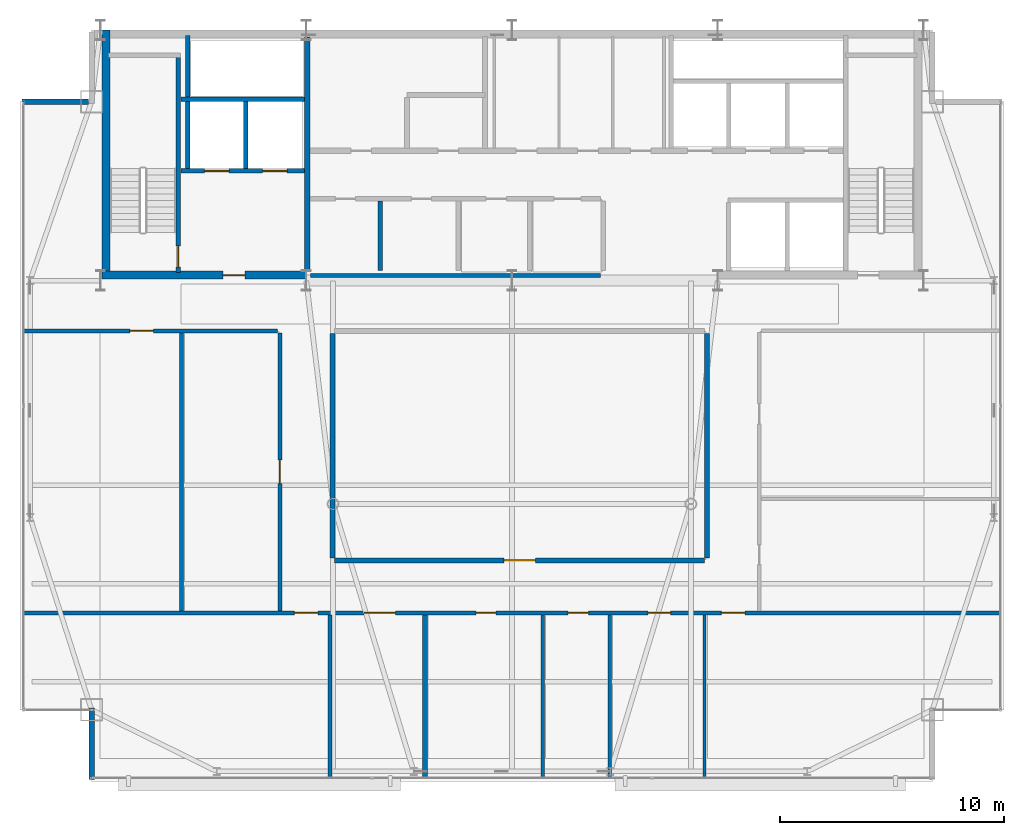
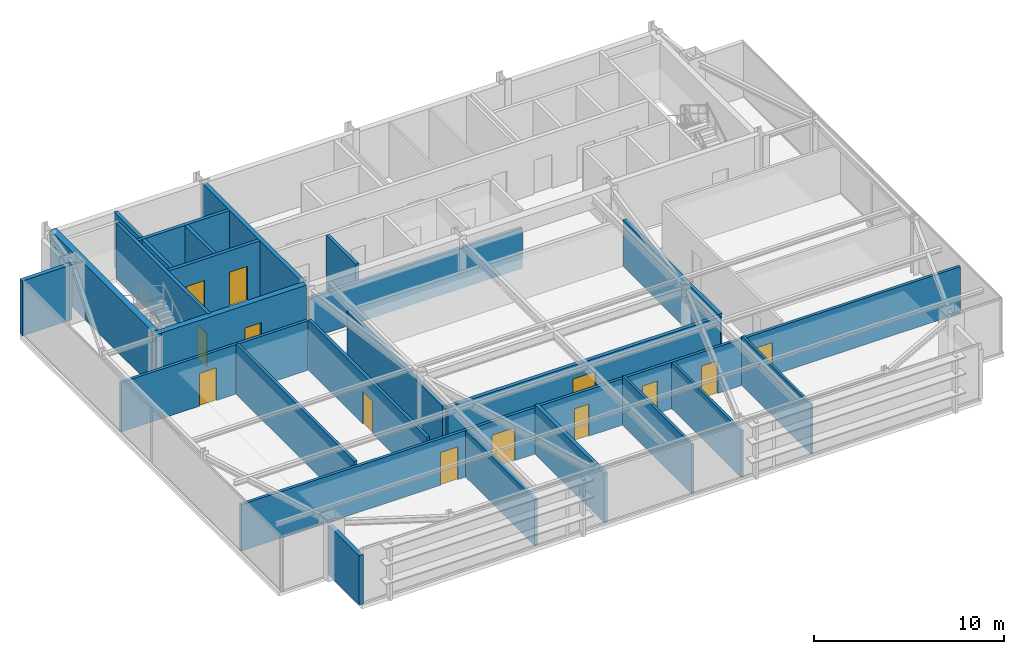
# One storey, part 21 of 24: 24 walls, 13 doors, 13 openings.
"""IFC4 building model written with IfcOpenShell, lengths in metres."""

from ifc_helpers import new_model, si_unit, direction, frame, frame_2d, origin, place, context, subcontext, project, spatial, rectangle, extrude, source, transform, mapped, material, layer, layer_set, type_object, type_shapes, element, fill, save


model = new_model("IFC4")

# Units and contexts
model_context = context("Model", 3, precision=1e-05, world=origin(), true_north=direction((0.0, 1.0)))
body_context = subcontext(model_context, "Body", "Model", "MODEL_VIEW")
ifc_project = project(units=[si_unit("LENGTHUNIT", "METRE"), si_unit("AREAUNIT", "SQUARE_METRE"), si_unit("VOLUMEUNIT", "CUBIC_METRE"), si_unit("PLANEANGLEUNIT", "RADIAN"), si_unit("MASSUNIT", "GRAM", prefix="KILO")], contexts=[model_context])

# Site, building, storey
site_placement = place(None, origin())
site = spatial("IfcSite", under=ifc_project, at=site_placement, CompositionType="ELEMENT")
building_placement = place(site_placement, origin())
building = spatial("IfcBuilding", under=site, at=building_placement, Name="Varnel Quay Broadcast Tower", CompositionType="ELEMENT")
storey_placement = place(building_placement, frame((0.0, 0.0, 292.60009765625)))
storey = spatial("IfcBuildingStorey", under=building, at=storey_placement, Name="L73", CompositionType="ELEMENT", Elevation=292.60009765625)

# Wall, opening, door
ifc_material_1 = material(Name="Concrete CSA A23.3 C50/60", Category="concrete")
ifc_layer_1 = layer(ifc_material_1, 0.199951171875, Name="Concrete CSA A23.3 C50/60")
ifc_layer_set_1 = layer_set([ifc_layer_1], Name="Concrete CSA A23.3 C50/60")
wall_type_1 = type_object("IfcWallType", Name="Wall_CoreShaftShear200", PredefinedType="SHEAR", material=ifc_layer_set_1)
wall_1_placement = place(storey_placement, frame((19.080078125, 35.949951171875, 0.0), z_axis=(0.0, 0.0, 1.0), x_axis=(0.0, 1.0, 0.0)))
wall_1 = element("IfcWall", 1, at=wall_1_placement, inside=storey, type_object=wall_type_1, Name="L73 Stair 1 East Structural Wall", PredefinedType="SHEAR", context=body_context, shape_type="SweptSolid", body=[
    extrude(rectangle(XDim=9.650146484375, YDim=0.199951171875, at=frame_2d((4.8251953125, 0.0))), origin(), (0.0, 0.0, 1.0), 3.5498046875),
])
opening_1_placement = place(wall_1_placement, frame((0.25, 0.0, 0.0)))
opening_1 = element("IfcOpeningElement", 2, at=opening_1_placement, cuts=wall_1, Name="Opening D-L73-S1", PredefinedType="OPENING", context=body_context, shape_type="SweptSolid", body=[
    extrude(rectangle(XDim=0.949951171875, YDim=2.10009765625, at=frame_2d((0.47509765625, 1.050048828125))), frame((0.0, 0.10986328125, 0.0), z_axis=(0.0, -1.0, 0.0), x_axis=(1.0, 0.0, 0.0)), (0.0, 0.0, 1.0), 0.219970703125),
])
ifc_material_2 = material(Name="Insulated Fire-Rated Hollow Steel Door", Category="steel")
door_type_1 = type_object("IfcDoorType", Name="Door_FireStair950", OperationType="NOTDEFINED", PredefinedType="DOOR", material=ifc_material_2)
shared_shape_1 = source(origin(), body_context, "Body", "SweptSolid", [
    extrude(rectangle(XDim=0.949951171875, YDim=2.10009765625, at=frame_2d((0.47509765625, 1.050048828125))), frame((0.0, 0.02490234375, 0.0), z_axis=(0.0, -1.0, 0.0), x_axis=(1.0, 0.0, 0.0)), (0.0, 0.0, 1.0), 0.050048828125),
])
type_shapes(door_type_1, [shared_shape_1])
door_1_placement = place(opening_1_placement, origin())
door_1 = element("IfcDoor", 3, at=door_1_placement, inside=storey, type_object=door_type_1, Name="L73 Stair 1 Fire Door", OperationType="SINGLE_SWING_LEFT", OverallHeight=2.10009765625, OverallWidth=0.949951171875, PredefinedType="DOOR", context=body_context, shape_type="MappedRepresentation", body=[
    mapped(shared_shape_1, transform((0.0, 0.0, 0.0), x_axis=(1.0, 0.0, 0.0), y_axis=(0.0, 1.0, 0.0), z_axis=(0.0, 0.0, 1.0), scale=1.0)),
])
fill(opening_1, door_1)

# Wall, openings, doors
wall_2_placement = place(storey_placement, frame((19.199951171875, 40.5, 0.0), z_axis=(0.0, 0.0, 1.0), x_axis=(1.0, 0.0, 0.0)))
wall_2 = element("IfcWall", 4, at=wall_2_placement, inside=storey, type_object=wall_type_1, Name="L73 Firefighter Lift Shaft Front Wall", PredefinedType="SHEAR", context=body_context, shape_type="SweptSolid", body=[
    extrude(rectangle(XDim=5.52001953125, YDim=0.199951171875, at=frame_2d((2.760009765625, 0.0))), origin(), (0.0, 0.0, 1.0), 3.5498046875),
])
opening_2_placement = place(wall_2_placement, frame((1.050048828125, 0.0, 0.0)))
opening_2 = element("IfcOpeningElement", 5, at=opening_2_placement, cuts=wall_2, Name="Opening LD-L73-FE1", PredefinedType="OPENING", context=body_context, shape_type="SweptSolid", body=[
    extrude(rectangle(XDim=1.10009765625, YDim=2.179931640625, at=frame_2d((0.550048828125, 1.08984375))), frame((0.0, 0.10986328125, 0.0), z_axis=(0.0, -1.0, 0.0), x_axis=(1.0, 0.0, 0.0)), (0.0, 0.0, 1.0), 0.219970703125),
])
opening_3_placement = place(wall_2_placement, frame((3.64990234375, 0.0, 0.0)))
opening_3 = element("IfcOpeningElement", 6, at=opening_3_placement, cuts=wall_2, Name="Opening LD-L73-FE2", PredefinedType="OPENING", context=body_context, shape_type="SweptSolid", body=[
    extrude(rectangle(XDim=1.10009765625, YDim=2.179931640625, at=frame_2d((0.550048828125, 1.08984375))), frame((0.0, 0.10986328125, 0.0), z_axis=(0.0, -1.0, 0.0), x_axis=(1.0, 0.0, 0.0)), (0.0, 0.0, 1.0), 0.219970703125),
])
ifc_material_3 = material(Name="Brushed Bronze-Stainless Lift Car & Sliding Doors", Category="steel")
door_type_2 = type_object("IfcDoorType", Name="Door_LiftLanding1100", OperationType="SLIDING_TO_LEFT", PredefinedType="DOOR", material=ifc_material_3)
shared_shape_2 = source(origin(), body_context, "Body", "SweptSolid", [
    extrude(rectangle(XDim=1.10009765625, YDim=2.179931640625, at=frame_2d((0.550048828125, 1.08984375))), frame((0.0, 0.02490234375, 0.0), z_axis=(0.0, -1.0, 0.0), x_axis=(1.0, 0.0, 0.0)), (0.0, 0.0, 1.0), 0.050048828125),
])
type_shapes(door_type_2, [shared_shape_2])
door_2_placement = place(opening_2_placement, frame((1.10009765625, 0.0, 0.0), z_axis=(0.0, 0.0, 1.0), x_axis=(-1.0, 0.0, 0.0)))
door_2 = element("IfcDoor", 7, at=door_2_placement, inside=storey, type_object=door_type_2, Name="L73 Firefighter Lift FE-01 Landing Door", OperationType="SLIDING_TO_LEFT", OverallHeight=2.179931640625, OverallWidth=1.10009765625, PredefinedType="DOOR", context=body_context, shape_type="MappedRepresentation", body=[
    mapped(shared_shape_2, transform((0.0, 0.0, 0.0), x_axis=(1.0, 0.0, 0.0), y_axis=(0.0, 1.0, 0.0), z_axis=(0.0, 0.0, 1.0), scale=1.0)),
])
fill(opening_2, door_2)
door_3_placement = place(opening_3_placement, frame((1.10009765625, 0.0, 0.0), z_axis=(0.0, 0.0, 1.0), x_axis=(-1.0, 0.0, 0.0)))
door_3 = element("IfcDoor", 8, at=door_3_placement, inside=storey, type_object=door_type_2, Name="L73 Firefighter Lift FE-02 Landing Door", OperationType="SLIDING_TO_RIGHT", OverallHeight=2.179931640625, OverallWidth=1.10009765625, PredefinedType="DOOR", context=body_context, shape_type="MappedRepresentation", body=[
    mapped(shared_shape_2, transform((0.0, 0.0, 0.0), x_axis=(1.0, 0.0, 0.0), y_axis=(0.0, 1.0, 0.0), z_axis=(0.0, 0.0, 1.0), scale=1.0)),
])
fill(opening_3, door_3)

# Walls
wall_3_placement = place(storey_placement, frame((19.199951171875, 43.699951171875, 0.0), z_axis=(0.0, 0.0, 1.0), x_axis=(1.0, 0.0, 0.0)))
element("IfcWall", 9, at=wall_3_placement, inside=storey, type_object=wall_type_1, Name="L73 Firefighter Lift Shaft Rear Wall", PredefinedType="SHEAR", context=body_context, shape_type="SweptSolid", body=[
    extrude(rectangle(XDim=5.52001953125, YDim=0.199951171875, at=frame_2d((2.760009765625, 0.0))), origin(), (0.0, 0.0, 1.0), 3.5498046875),
])
wall_4_placement = place(storey_placement, frame((22.10009765625, 40.60009765625, 0.0), z_axis=(0.0, 0.0, 1.0), x_axis=(0.0, 1.0, 0.0)))
element("IfcWall", 10, at=wall_4_placement, inside=storey, type_object=wall_type_1, Name="L73 Firefighter Lift Shaft Divider", PredefinedType="SHEAR", context=body_context, shape_type="SweptSolid", body=[
    extrude(rectangle(XDim=3.0, YDim=0.199951171875, at=frame_2d((1.5, 0.0))), origin(), (0.0, 0.0, 1.0), 3.5498046875),
])
wall_5_placement = place(storey_placement, frame((19.5, 40.60009765625, 0.0), z_axis=(0.0, 0.0, 1.0), x_axis=(0.0, 1.0, 0.0)))
element("IfcWall", 11, at=wall_5_placement, inside=storey, type_object=wall_type_1, Name="L73 Firefighter Lift Shaft West Wall", PredefinedType="SHEAR", context=body_context, shape_type="SweptSolid", body=[
    extrude(rectangle(XDim=5.949951171875, YDim=0.199951171875, at=frame_2d((2.97509765625, 0.0))), origin(), (0.0, 0.0, 1.0), 3.5498046875),
])
ifc_layer_2 = layer(ifc_material_1, 0.25, Name="Concrete CSA A23.3 C50/60")
ifc_layer_set_2 = layer_set([ifc_layer_2], Name="Concrete CSA A23.3 C50/60")
wall_type_2 = type_object("IfcWallType", Name="Wall_CoreShaftShear250", PredefinedType="SHEAR", material=ifc_layer_set_2)
wall_6_placement = place(storey_placement, frame((24.85009765625, 36.050048828125, 0.0), z_axis=(0.0, 0.0, 1.0), x_axis=(0.0, 1.0, 0.0)))
element("IfcWall", 12, at=wall_6_placement, inside=storey, type_object=wall_type_2, Name="L73 Firefighting Lobby East Structural Wall", PredefinedType="SHEAR", context=body_context, shape_type="SweptSolid", body=[
    extrude(rectangle(XDim=10.449951171875, YDim=0.25, at=frame_2d((5.22509765625, 0.0))), origin(), (0.0, 0.0, 1.0), 3.5498046875),
])
ifc_layer_3 = layer(ifc_material_1, 0.35009765625, Name="Concrete CSA A23.3 C50/60")
ifc_layer_set_3 = layer_set([ifc_layer_3], Name="Concrete CSA A23.3 C50/60")
wall_type_3 = type_object("IfcWallType", Name="Wall_CoreShearInt350", PredefinedType="SHEAR", material=ifc_layer_set_3)
wall_7_placement = place(storey_placement, frame((15.844970703125, 35.669921875, 0.0), z_axis=(0.0, 0.0, 1.0), x_axis=(0.0, 1.0, 0.0)))
element("IfcWall", 13, at=wall_7_placement, inside=storey, type_object=wall_type_3, Name="L73 West Core Shear Wall", PredefinedType="SHEAR", context=body_context, shape_type="SweptSolid", body=[
    extrude(rectangle(XDim=11.130126953125, YDim=0.35009765625, at=frame_2d((5.56494140625, 0.0))), origin(), (0.0, 0.0, 1.0), 3.5498046875),
])

# Wall, opening, door
wall_8_placement = place(storey_placement, frame((15.669921875, 35.844970703125, 0.0), z_axis=(0.0, 0.0, 1.0), x_axis=(1.0, 0.0, 0.0)))
wall_8 = element("IfcWall", 14, at=wall_8_placement, inside=storey, type_object=wall_type_3, Name="L73 South-West Core Shear Wall", PredefinedType="SHEAR", context=body_context, shape_type="SweptSolid", body=[
    extrude(rectangle(XDim=9.130126953125, YDim=0.35009765625, at=frame_2d((4.56494140625, 0.0))), origin(), (0.0, 0.0, 1.0), 3.5498046875),
])
opening_4_placement = place(wall_8_placement, frame((5.39990234375, 0.0, 0.0)))
opening_4 = element("IfcOpeningElement", 15, at=opening_4_placement, cuts=wall_8, Name="Opening D-L73-FFL", PredefinedType="OPENING", context=body_context, shape_type="SweptSolid", body=[
    extrude(rectangle(XDim=1.0, YDim=2.10009765625, at=frame_2d((0.5, 1.050048828125))), frame((0.0, 0.18505859375, 0.0), z_axis=(0.0, -1.0, 0.0), x_axis=(1.0, 0.0, 0.0)), (0.0, 0.0, 1.0), 0.3701171875),
])
door_type_3 = type_object("IfcDoorType", Name="Door_FireLobby1000", OperationType="NOTDEFINED", PredefinedType="DOOR", material=ifc_material_2)
shared_shape_3 = source(origin(), body_context, "Body", "SweptSolid", [
    extrude(rectangle(XDim=1.0, YDim=2.10009765625, at=frame_2d((0.5, 1.050048828125))), frame((0.0, 0.02490234375, 0.0), z_axis=(0.0, -1.0, 0.0), x_axis=(1.0, 0.0, 0.0)), (0.0, 0.0, 1.0), 0.050048828125),
])
type_shapes(door_type_3, [shared_shape_3])
door_4_placement = place(opening_4_placement, origin())
door_4 = element("IfcDoor", 16, at=door_4_placement, inside=storey, type_object=door_type_3, Name="L73 Firefighting Lobby Door", OperationType="SINGLE_SWING_RIGHT", OverallHeight=2.10009765625, OverallWidth=1.0, PredefinedType="DOOR", context=body_context, shape_type="MappedRepresentation", body=[
    mapped(shared_shape_3, transform((0.0, 0.0, 0.0), x_axis=(1.0, 0.0, 0.0), y_axis=(0.0, 1.0, 0.0), z_axis=(0.0, 0.0, 1.0), scale=1.0)),
])
fill(opening_4, door_4)

# Walls
ifc_material_4 = material(Name="Precast Architectural Concrete C40/50", Category="concrete")
ifc_layer_4 = layer(ifc_material_4, 0.25, Name="Precast Architectural Concrete C40/50")
ifc_layer_set_4 = layer_set([ifc_layer_4], Name="Precast Architectural Concrete C40/50")
wall_type_4 = type_object("IfcWallType", Name="Wall_ExtTerrace250", PredefinedType="SOLIDWALL", material=ifc_layer_set_4)
wall_9_placement = place(storey_placement, frame((15.199951171875, 13.280029296875, 0.0), z_axis=(0.0, 0.0, 1.0), x_axis=(0.0, 1.0, 0.0)))
element("IfcWall", 17, at=wall_9_placement, inside=storey, type_object=wall_type_4, Name="L73 Mega-Column Notch Cladding Wall NSW2", PredefinedType="SOLIDWALL", context=body_context, shape_type="SweptSolid", body=[
    extrude(rectangle(XDim=3.199951171875, YDim=0.25, at=frame_2d((1.60009765625, 0.0))), origin(), (0.0, 0.0, 1.0), 3.1708984375),
])
wall_10_placement = place(storey_placement, frame((12.080078125, 43.60009765625, 0.0), z_axis=(0.0, 0.0, 1.0), x_axis=(1.0, 0.0, 0.0)))
element("IfcWall", 18, at=wall_10_placement, inside=storey, type_object=wall_type_4, Name="L73 Mega-Column Notch Cladding Wall NNW1", PredefinedType="SOLIDWALL", context=body_context, shape_type="SweptSolid", body=[
    extrude(rectangle(XDim=2.989990234375, YDim=0.25, at=frame_2d((1.4951171875, 0.0))), origin(), (0.0, 0.0, 1.0), 3.52978515625),
])
ifc_material_5 = material(Name="Concrete Blockwork Fire Enclosure C40/50", Category="masonry")
ifc_layer_5 = layer(ifc_material_5, 0.199951171875, Name="Concrete Blockwork Fire Enclosure C40/50")
ifc_layer_set_5 = layer_set([ifc_layer_5], Name="Concrete Blockwork Fire Enclosure C40/50")
wall_type_5 = type_object("IfcWallType", Name="Wall_FireShaft200", PredefinedType="SOLIDWALL", material=ifc_layer_set_5)
wall_11_placement = place(storey_placement, frame((25.0, 35.824951171875, 0.0), z_axis=(0.0, 0.0, 1.0), x_axis=(1.0, 0.0, 0.0)))
element("IfcWall", 19, at=wall_11_placement, inside=storey, type_object=wall_type_5, Name="L73 Accessible Universal Washroom Partition 1", PredefinedType="SOLIDWALL", context=body_context, shape_type="SweptSolid", body=[
    extrude(rectangle(XDim=12.949951171875, YDim=0.199951171875, at=frame_2d((6.47509765625, 0.0))), origin(), (0.0, 0.0, 1.0), 2.574951171875),
])
ifc_material_6 = material(Name="Steel-Stud Fire-Rated Acoustic Gypsum Partition Assembly", Category="steel")
ifc_layer_6 = layer(ifc_material_6, 0.139892578125, Name="Steel-Stud Fire-Rated Acoustic Gypsum Partition Assembly")
ifc_layer_set_6 = layer_set([ifc_layer_6], Name="Steel-Stud Fire-Rated Acoustic Gypsum Partition Assembly")
wall_type_6 = type_object("IfcWallType", Name="Wall_Partition140", PredefinedType="PARTITIONING", material=ifc_layer_set_6)
wall_12_placement = place(storey_placement, frame((42.610107421875, 13.3798828125, 0.0), z_axis=(0.0, 0.0, 1.0), x_axis=(0.0, 1.0, 0.0)))
element("IfcWall", 20, at=wall_12_placement, inside=storey, type_object=wall_type_6, Name="L73 Reading Lounge 5 Partition 12", PredefinedType="PARTITIONING", context=body_context, shape_type="SweptSolid", body=[
    extrude(rectangle(XDim=7.272216796875, YDim=0.139892578125, at=frame_2d((3.63623046875, 0.0))), origin(), (0.0, 0.0, 1.0), 3.1708984375),
])
ifc_layer_7 = layer(ifc_material_6, 0.14990234375, Name="Steel-Stud Fire-Rated Acoustic Gypsum Partition Assembly")
ifc_layer_set_7 = layer_set([ifc_layer_7], Name="Steel-Stud Fire-Rated Acoustic Gypsum Partition Assembly")
wall_type_7 = type_object("IfcWallType", Name="Wall_Partition150", PredefinedType="PARTITIONING", material=ifc_layer_set_7)
wall_13_placement = place(storey_placement, frame((35.3701171875, 13.3798828125, 0.0), z_axis=(0.0, 0.0, 1.0), x_axis=(0.0, 1.0, 0.0)))
element("IfcWall", 21, at=wall_13_placement, inside=storey, type_object=wall_type_7, Name="L73 Catering Kitchen 3 Partition 10", PredefinedType="PARTITIONING", context=body_context, shape_type="SweptSolid", body=[
    extrude(rectangle(XDim=7.272216796875, YDim=0.14990234375, at=frame_2d((3.63623046875, 0.0))), origin(), (0.0, 0.0, 1.0), 3.1708984375),
])
wall_14_placement = place(storey_placement, frame((38.3701171875, 13.3798828125, 0.0), z_axis=(0.0, 0.0, 1.0), x_axis=(0.0, 1.0, 0.0)))
element("IfcWall", 22, at=wall_14_placement, inside=storey, type_object=wall_type_7, Name="L73 Bureau Office 4 Partition 11", PredefinedType="PARTITIONING", context=body_context, shape_type="SweptSolid", body=[
    extrude(rectangle(XDim=7.272216796875, YDim=0.14990234375, at=frame_2d((3.63623046875, 0.0))), origin(), (0.0, 0.0, 1.0), 2.98095703125),
])
ifc_layer_8 = layer(ifc_material_6, 0.175048828125, Name="Steel-Stud Fire-Rated Acoustic Gypsum Partition Assembly")
ifc_layer_set_8 = layer_set([ifc_layer_8], Name="Steel-Stud Fire-Rated Acoustic Gypsum Partition Assembly")
wall_type_8 = type_object("IfcWallType", Name="Wall_Partition175", PredefinedType="PARTITIONING", material=ifc_layer_set_8)
wall_15_placement = place(storey_placement, frame((25.8701171875, 13.3798828125, 0.0), z_axis=(0.0, 0.0, 1.0), x_axis=(0.0, 1.0, 0.0)))
element("IfcWall", 23, at=wall_15_placement, inside=storey, type_object=wall_type_8, Name="L73 Editorial Huddle Room 1 Partition 7", PredefinedType="PARTITIONING", context=body_context, shape_type="SweptSolid", body=[
    extrude(rectangle(XDim=7.272216796875, YDim=0.175048828125, at=frame_2d((3.63623046875, 0.0))), origin(), (0.0, 0.0, 1.0), 2.98095703125),
])

# Wall, openings, doors
wall_16_placement = place(storey_placement, frame((12.179931640625, 20.739990234375, 0.0), z_axis=(0.0, 0.0, 1.0), x_axis=(1.0, 0.0, 0.0)))
wall_16 = element("IfcWall", 24, at=wall_16_placement, inside=storey, type_object=wall_type_8, Name="L73 Editorial Huddle Room 1 Partition 8", PredefinedType="PARTITIONING", context=body_context, shape_type="SweptSolid", body=[
    extrude(rectangle(XDim=43.64013671875, YDim=0.175048828125, at=frame_2d((21.820068359375, 0.0))), origin(), (0.0, 0.0, 1.0), 2.98095703125),
])
opening_5_placement = place(wall_16_placement, frame((12.090087890625, 0.0, 0.0)))
opening_5 = element("IfcOpeningElement", 25, at=opening_5_placement, cuts=wall_16, Name="Opening D-L73-05", PredefinedType="OPENING", context=body_context, shape_type="SweptSolid", body=[
    extrude(rectangle(XDim=1.050048828125, YDim=2.10009765625, at=frame_2d((0.52490234375, 1.050048828125))), frame((0.0, 0.09765625, 0.0), z_axis=(0.0, -1.0, 0.0), x_axis=(1.0, 0.0, 0.0)), (0.0, 0.0, 1.0), 0.195068359375),
])
opening_6_placement = place(wall_16_placement, frame((15.205078125, 0.0, 0.0)))
opening_6 = element("IfcOpeningElement", 26, at=opening_6_placement, cuts=wall_16, Name="Opening D-L73-06", PredefinedType="OPENING", context=body_context, shape_type="SweptSolid", body=[
    extrude(rectangle(XDim=1.39990234375, YDim=2.1201171875, at=frame_2d((0.699951171875, 1.06005859375))), frame((0.0, 0.09765625, 0.0), z_axis=(0.0, -1.0, 0.0), x_axis=(1.0, 0.0, 0.0)), (0.0, 0.0, 1.0), 0.195068359375),
])
opening_7_placement = place(wall_16_placement, frame((20.215087890625, 0.0, 0.0)))
opening_7 = element("IfcOpeningElement", 27, at=opening_7_placement, cuts=wall_16, Name="Opening D-L73-07", PredefinedType="OPENING", context=body_context, shape_type="SweptSolid", body=[
    extrude(rectangle(XDim=0.8798828125, YDim=2.06005859375, at=frame_2d((0.43994140625, 1.030029296875))), frame((0.0, 0.09765625, 0.0), z_axis=(0.0, -1.0, 0.0), x_axis=(1.0, 0.0, 0.0)), (0.0, 0.0, 1.0), 0.195068359375),
])
opening_8_placement = place(wall_16_placement, frame((24.330078125, 0.0, 0.0)))
opening_8 = element("IfcOpeningElement", 28, at=opening_8_placement, cuts=wall_16, Name="Opening D-L73-08", PredefinedType="OPENING", context=body_context, shape_type="SweptSolid", body=[
    extrude(rectangle(XDim=0.919921875, YDim=2.080078125, at=frame_2d((0.4599609375, 1.0400390625))), frame((0.0, 0.09765625, 0.0), z_axis=(0.0, -1.0, 0.0), x_axis=(1.0, 0.0, 0.0)), (0.0, 0.0, 1.0), 0.195068359375),
])
opening_9_placement = place(wall_16_placement, frame((27.909912109375, 0.0, 0.0)))
opening_9 = element("IfcOpeningElement", 29, at=opening_9_placement, cuts=wall_16, Name="Opening D-L73-09", PredefinedType="OPENING", context=body_context, shape_type="SweptSolid", body=[
    extrude(rectangle(XDim=1.0, YDim=2.10009765625, at=frame_2d((0.5, 1.050048828125))), frame((0.0, 0.09765625, 0.0), z_axis=(0.0, -1.0, 0.0), x_axis=(1.0, 0.0, 0.0)), (0.0, 0.0, 1.0), 0.195068359375),
])
opening_10_placement = place(wall_16_placement, frame((31.179931640625, 0.0, 0.0)))
opening_10 = element("IfcOpeningElement", 30, at=opening_10_placement, cuts=wall_16, Name="Opening D-L73-10", PredefinedType="OPENING", context=body_context, shape_type="SweptSolid", body=[
    extrude(rectangle(XDim=1.050048828125, YDim=2.10009765625, at=frame_2d((0.52490234375, 1.050048828125))), frame((0.0, 0.09765625, 0.0), z_axis=(0.0, -1.0, 0.0), x_axis=(1.0, 0.0, 0.0)), (0.0, 0.0, 1.0), 0.195068359375),
])
ifc_material_7 = material(Name="Solid-Core Fire-Rated Acoustic Oak Veneer Door", Category="wood")
door_type_4 = type_object("IfcDoorType", Name="Door_Booth880", OperationType="NOTDEFINED", PredefinedType="DOOR", material=ifc_material_7)
shared_shape_4 = source(origin(), body_context, "Body", "SweptSolid", [
    extrude(rectangle(XDim=0.8798828125, YDim=2.06005859375, at=frame_2d((0.43994140625, 1.030029296875))), frame((0.0, 0.02490234375, 0.0), z_axis=(0.0, -1.0, 0.0), x_axis=(1.0, 0.0, 0.0)), (0.0, 0.0, 1.0), 0.050048828125),
])
type_shapes(door_type_4, [shared_shape_4])
door_5_placement = place(opening_7_placement, frame((0.8798828125, 0.0, 0.0), z_axis=(0.0, 0.0, 1.0), x_axis=(-1.0, 0.0, 0.0)))
door_5 = element("IfcDoor", 31, at=door_5_placement, inside=storey, type_object=door_type_4, Name="L73 Catering Kitchen 3 Door D-L73-07", OperationType="SINGLE_SWING_RIGHT", OverallHeight=2.06005859375, OverallWidth=0.8798828125, PredefinedType="DOOR", context=body_context, shape_type="MappedRepresentation", body=[
    mapped(shared_shape_4, transform((0.0, 0.0, 0.0), x_axis=(1.0, 0.0, 0.0), y_axis=(0.0, 1.0, 0.0), z_axis=(0.0, 0.0, 1.0), scale=1.0)),
])
fill(opening_7, door_5)
door_type_5 = type_object("IfcDoorType", Name="Door_Office920", OperationType="NOTDEFINED", PredefinedType="DOOR", material=ifc_material_7)
shared_shape_5 = source(origin(), body_context, "Body", "SweptSolid", [
    extrude(rectangle(XDim=0.919921875, YDim=2.080078125, at=frame_2d((0.4599609375, 1.0400390625))), frame((0.0, 0.02490234375, 0.0), z_axis=(0.0, -1.0, 0.0), x_axis=(1.0, 0.0, 0.0)), (0.0, 0.0, 1.0), 0.050048828125),
])
type_shapes(door_type_5, [shared_shape_5])
door_6_placement = place(opening_8_placement, frame((0.919921875, 0.0, 0.0), z_axis=(0.0, 0.0, 1.0), x_axis=(-1.0, 0.0, 0.0)))
door_6 = element("IfcDoor", 32, at=door_6_placement, inside=storey, type_object=door_type_5, Name="L73 Bureau Office 4 Door D-L73-08", OperationType="SINGLE_SWING_LEFT", OverallHeight=2.080078125, OverallWidth=0.919921875, PredefinedType="DOOR", context=body_context, shape_type="MappedRepresentation", body=[
    mapped(shared_shape_5, transform((0.0, 0.0, 0.0), x_axis=(1.0, 0.0, 0.0), y_axis=(0.0, 1.0, 0.0), z_axis=(0.0, 0.0, 1.0), scale=1.0)),
])
fill(opening_8, door_6)
door_type_6 = type_object("IfcDoorType", Name="Door_Exec1000", OperationType="NOTDEFINED", PredefinedType="DOOR", material=ifc_material_7)
shared_shape_6 = source(origin(), body_context, "Body", "SweptSolid", [
    extrude(rectangle(XDim=1.0, YDim=2.10009765625, at=frame_2d((0.5, 1.050048828125))), frame((0.0, 0.02490234375, 0.0), z_axis=(0.0, -1.0, 0.0), x_axis=(1.0, 0.0, 0.0)), (0.0, 0.0, 1.0), 0.050048828125),
])
type_shapes(door_type_6, [shared_shape_6])
door_7_placement = place(opening_9_placement, frame((1.0, 0.0, 0.0), z_axis=(0.0, 0.0, 1.0), x_axis=(-1.0, 0.0, 0.0)))
door_7 = element("IfcDoor", 33, at=door_7_placement, inside=storey, type_object=door_type_6, Name="L73 Reading Lounge 5 Door D-L73-09", OperationType="SINGLE_SWING_RIGHT", OverallHeight=2.10009765625, OverallWidth=1.0, PredefinedType="DOOR", context=body_context, shape_type="MappedRepresentation", body=[
    mapped(shared_shape_6, transform((0.0, 0.0, 0.0), x_axis=(1.0, 0.0, 0.0), y_axis=(0.0, 1.0, 0.0), z_axis=(0.0, 0.0, 1.0), scale=1.0)),
])
fill(opening_9, door_7)
door_type_7 = type_object("IfcDoorType", Name="Door_Meeting1050", OperationType="NOTDEFINED", PredefinedType="DOOR", material=ifc_material_7)
shared_shape_7 = source(origin(), body_context, "Body", "SweptSolid", [
    extrude(rectangle(XDim=1.050048828125, YDim=2.10009765625, at=frame_2d((0.52490234375, 1.050048828125))), frame((0.0, 0.02490234375, 0.0), z_axis=(0.0, -1.0, 0.0), x_axis=(1.0, 0.0, 0.0)), (0.0, 0.0, 1.0), 0.050048828125),
])
type_shapes(door_type_7, [shared_shape_7])
door_8_placement = place(opening_5_placement, frame((1.050048828125, 0.0, 0.0), z_axis=(0.0, 0.0, 1.0), x_axis=(-1.0, 0.0, 0.0)))
door_8 = element("IfcDoor", 34, at=door_8_placement, inside=storey, type_object=door_type_7, Name="L73 Editorial Huddle Room 1 Door D-L73-05", OperationType="SINGLE_SWING_LEFT", OverallHeight=2.10009765625, OverallWidth=1.050048828125, PredefinedType="DOOR", context=body_context, shape_type="MappedRepresentation", body=[
    mapped(shared_shape_7, transform((0.0, 0.0, 0.0), x_axis=(1.0, 0.0, 0.0), y_axis=(0.0, 1.0, 0.0), z_axis=(0.0, 0.0, 1.0), scale=1.0)),
])
fill(opening_5, door_8)
door_9_placement = place(opening_10_placement, frame((1.050048828125, 0.0, 0.0), z_axis=(0.0, 0.0, 1.0), x_axis=(-1.0, 0.0, 0.0)))
door_9 = element("IfcDoor", 35, at=door_9_placement, inside=storey, type_object=door_type_7, Name="L73 Broadcast Seminar Room 6 Door D-L73-10", OperationType="SINGLE_SWING_LEFT", OverallHeight=2.10009765625, OverallWidth=1.050048828125, PredefinedType="DOOR", context=body_context, shape_type="MappedRepresentation", body=[
    mapped(shared_shape_7, transform((0.0, 0.0, 0.0), x_axis=(1.0, 0.0, 0.0), y_axis=(0.0, 1.0, 0.0), z_axis=(0.0, 0.0, 1.0), scale=1.0)),
])
fill(opening_10, door_9)
door_type_8 = type_object("IfcDoorType", Name="Door_Gallery1400", OperationType="DOUBLE_DOOR_SINGLE_SWING", PredefinedType="DOOR", material=ifc_material_7)
shared_shape_8 = source(origin(), body_context, "Body", "SweptSolid", [
    extrude(rectangle(XDim=1.39990234375, YDim=2.1201171875, at=frame_2d((0.699951171875, 1.06005859375))), frame((0.0, 0.02490234375, 0.0), z_axis=(0.0, -1.0, 0.0), x_axis=(1.0, 0.0, 0.0)), (0.0, 0.0, 1.0), 0.050048828125),
])
type_shapes(door_type_8, [shared_shape_8])
door_10_placement = place(opening_6_placement, frame((1.39990234375, 0.0, 0.0), z_axis=(0.0, 0.0, 1.0), x_axis=(-1.0, 0.0, 0.0)))
door_10 = element("IfcDoor", 36, at=door_10_placement, inside=storey, type_object=door_type_8, Name="L73 Journalism Training Studio 2 Door D-L73-06", OperationType="DOUBLE_DOOR_SINGLE_SWING", OverallHeight=2.1201171875, OverallWidth=1.39990234375, PredefinedType="DOOR", context=body_context, shape_type="MappedRepresentation", body=[
    mapped(shared_shape_8, transform((0.0, 0.0, 0.0), x_axis=(1.0, 0.0, 0.0), y_axis=(0.0, 1.0, 0.0), z_axis=(0.0, 0.0, 1.0), scale=1.0)),
])
fill(opening_6, door_10)

# Wall
wall_17_placement = place(storey_placement, frame((19.219970703125, 20.826904296875, 0.0), z_axis=(0.0, 0.0, 1.0), x_axis=(0.0, 1.0, 0.0)))
element("IfcWall", 37, at=wall_17_placement, inside=storey, type_object=wall_type_8, Name="L73 Press Briefing Room 7 Partition 13", PredefinedType="PARTITIONING", context=body_context, shape_type="SweptSolid", body=[
    extrude(rectangle(XDim=12.43603515625, YDim=0.175048828125, at=frame_2d((6.218017578125, 0.0))), origin(), (0.0, 0.0, 1.0), 3.221923828125),
])

# Wall, opening, door
wall_18_placement = place(storey_placement, frame((12.179931640625, 33.35009765625, 0.0), z_axis=(0.0, 0.0, 1.0), x_axis=(1.0, 0.0, 0.0)))
wall_18 = element("IfcWall", 38, at=wall_18_placement, inside=storey, type_object=wall_type_8, Name="L73 Press Briefing Room 7 Partition 14", PredefinedType="PARTITIONING", context=body_context, shape_type="SweptSolid", body=[
    extrude(rectangle(XDim=11.340087890625, YDim=0.175048828125, at=frame_2d((5.669921875, 0.0))), origin(), (0.0, 0.0, 1.0), 3.1708984375),
])
opening_11_placement = place(wall_18_placement, frame((4.72998046875, 0.0, 0.0)))
opening_11 = element("IfcOpeningElement", 39, at=opening_11_placement, cuts=wall_18, Name="Opening D-L73-11", PredefinedType="OPENING", context=body_context, shape_type="SweptSolid", body=[
    extrude(rectangle(XDim=1.050048828125, YDim=2.10009765625, at=frame_2d((0.52490234375, 1.050048828125))), frame((0.0, 0.09765625, 0.0), z_axis=(0.0, -1.0, 0.0), x_axis=(1.0, 0.0, 0.0)), (0.0, 0.0, 1.0), 0.195068359375),
])
door_11_placement = place(opening_11_placement, frame((1.050048828125, 0.0, 0.0), z_axis=(0.0, 0.0, 1.0), x_axis=(-1.0, 0.0, 0.0)))
door_11 = element("IfcDoor", 40, at=door_11_placement, inside=storey, type_object=door_type_7, Name="L73 Press Briefing Room 7 Door D-L73-11", OperationType="SINGLE_SWING_RIGHT", OverallHeight=2.10009765625, OverallWidth=1.050048828125, PredefinedType="DOOR", context=body_context, shape_type="MappedRepresentation", body=[
    mapped(shared_shape_7, transform((0.0, 0.0, 0.0), x_axis=(1.0, 0.0, 0.0), y_axis=(0.0, 1.0, 0.0), z_axis=(0.0, 0.0, 1.0), scale=1.0)),
])
fill(opening_11, door_11)

wall_19_placement = place(storey_placement, frame((23.6201171875, 20.826904296875, 0.0), z_axis=(0.0, 0.0, 1.0), x_axis=(0.0, 1.0, 0.0)))
wall_19 = element("IfcWall", 41, at=wall_19_placement, inside=storey, type_object=wall_type_8, Name="L73 Editorial Huddle Room 8 Partition 15", PredefinedType="PARTITIONING", context=body_context, shape_type="SweptSolid", body=[
    extrude(rectangle(XDim=12.43603515625, YDim=0.175048828125, at=frame_2d((6.218017578125, 0.0))), origin(), (0.0, 0.0, 1.0), 3.221923828125),
])
opening_12_placement = place(wall_19_placement, frame((5.693115234375, 0.0, 0.0)))
opening_12 = element("IfcOpeningElement", 42, at=opening_12_placement, cuts=wall_19, Name="Opening D-L73-12", PredefinedType="OPENING", context=body_context, shape_type="SweptSolid", body=[
    extrude(rectangle(XDim=1.050048828125, YDim=2.10009765625, at=frame_2d((0.52490234375, 1.050048828125))), frame((0.0, 0.09765625, 0.0), z_axis=(0.0, -1.0, 0.0), x_axis=(1.0, 0.0, 0.0)), (0.0, 0.0, 1.0), 0.195068359375),
])
door_12_placement = place(opening_12_placement, origin())
door_12 = element("IfcDoor", 43, at=door_12_placement, inside=storey, type_object=door_type_7, Name="L73 Editorial Huddle Room 8 Door D-L73-12", OperationType="SINGLE_SWING_LEFT", OverallHeight=2.10009765625, OverallWidth=1.050048828125, PredefinedType="DOOR", context=body_context, shape_type="MappedRepresentation", body=[
    mapped(shared_shape_7, transform((0.0, 0.0, 0.0), x_axis=(1.0, 0.0, 0.0), y_axis=(0.0, 1.0, 0.0), z_axis=(0.0, 0.0, 1.0), scale=1.0)),
])
fill(opening_12, door_12)

# Wall
ifc_layer_9 = layer(ifc_material_6, 0.22509765625, Name="Steel-Stud Fire-Rated Acoustic Gypsum Partition Assembly")
ifc_layer_set_9 = layer_set([ifc_layer_9], Name="Steel-Stud Fire-Rated Acoustic Gypsum Partition Assembly")
wall_type_9 = type_object("IfcWallType", Name="Wall_Partition225", PredefinedType="PARTITIONING", material=ifc_layer_set_9)
wall_20_placement = place(storey_placement, frame((30.10009765625, 13.3798828125, 0.0), z_axis=(0.0, 0.0, 1.0), x_axis=(0.0, 1.0, 0.0)))
element("IfcWall", 44, at=wall_20_placement, inside=storey, type_object=wall_type_9, Name="L73 Journalism Training Studio 2 Partition 9", PredefinedType="PARTITIONING", context=body_context, shape_type="SweptSolid", body=[
    extrude(rectangle(XDim=7.272216796875, YDim=0.22509765625, at=frame_2d((3.63623046875, 0.0))), origin(), (0.0, 0.0, 1.0), 3.1708984375),
])

# Wall, opening, door
wall_21_placement = place(storey_placement, frame((26.070068359375, 23.090087890625, 0.0), z_axis=(0.0, 0.0, 1.0), x_axis=(1.0, 0.0, 0.0)))
wall_21 = element("IfcWall", 45, at=wall_21_placement, inside=storey, type_object=wall_type_9, Name="L73 Journalism Training Studio 9 Partition 16", PredefinedType="PARTITIONING", context=body_context, shape_type="SweptSolid", body=[
    extrude(rectangle(XDim=16.5400390625, YDim=0.22509765625, at=frame_2d((8.27001953125, 0.0))), origin(), (0.0, 0.0, 1.0), 2.98095703125),
])
opening_13_placement = place(wall_21_placement, frame((7.570068359375, 0.0, 0.0)))
opening_13 = element("IfcOpeningElement", 46, at=opening_13_placement, cuts=wall_21, Name="Opening D-L73-13", PredefinedType="OPENING", context=body_context, shape_type="SweptSolid", body=[
    extrude(rectangle(XDim=1.39990234375, YDim=2.1201171875, at=frame_2d((0.699951171875, 1.06005859375))), frame((0.0, 0.12255859375, 0.0), z_axis=(0.0, -1.0, 0.0), x_axis=(1.0, 0.0, 0.0)), (0.0, 0.0, 1.0), 0.2451171875),
])
door_13_placement = place(opening_13_placement, origin())
door_13 = element("IfcDoor", 47, at=door_13_placement, inside=storey, type_object=door_type_8, Name="L73 Journalism Training Studio 9 Door D-L73-13", OperationType="DOUBLE_DOOR_SINGLE_SWING", OverallHeight=2.1201171875, OverallWidth=1.39990234375, PredefinedType="DOOR", context=body_context, shape_type="MappedRepresentation", body=[
    mapped(shared_shape_8, transform((0.0, 0.0, 0.0), x_axis=(1.0, 0.0, 0.0), y_axis=(0.0, 1.0, 0.0), z_axis=(0.0, 0.0, 1.0), scale=1.0)),
])
fill(opening_13, door_13)

# Walls
for number, where, z_axis, x_axis, name in (
    (48, (42.7099609375, 23.202880859375, 0.0), (0.0, 0.0, 1.0), (0.0, 1.0, 0.0), "L73 Journalism Training Studio 9 Partition 17"),
    (49, (25.969970703125, 23.202880859375, 0.0), (0.0, 0.0, 1.0), (0.0, 1.0, 0.0), "L73 Journalism Training Studio 9 Partition 19"),
):
    element("IfcWall", number, at=place(storey_placement, frame(where, z_axis=z_axis, x_axis=x_axis)), inside=storey, type_object=wall_type_9, Name=name, PredefinedType="PARTITIONING", context=body_context, shape_type="SweptSolid", body=[
        extrude(rectangle(XDim=10.03515625, YDim=0.22509765625, at=frame_2d((5.017578125, 0.0))), origin(), (0.0, 0.0, 1.0), 2.98095703125),
    ])
ifc_material_8 = material(Name="Fire-Rated Moisture-Resistant Plumbing Chase Partition")
ifc_layer_10 = layer(ifc_material_8, 0.199951171875, Name="Fire-Rated Moisture-Resistant Plumbing Chase Partition")
ifc_layer_set_10 = layer_set([ifc_layer_10], Name="Fire-Rated Moisture-Resistant Plumbing Chase Partition")
wall_type_10 = type_object("IfcWallType", Name="Wall_Plumbing200", PredefinedType="PLUMBINGWALL", material=ifc_layer_set_10)
wall_22_placement = place(storey_placement, frame((28.10009765625, 36.050048828125, 0.0), z_axis=(0.0, 0.0, 1.0), x_axis=(0.0, 1.0, 0.0)))
element("IfcWall", 50, at=wall_22_placement, inside=storey, type_object=wall_type_10, Name="L73 Accessible Universal Washroom Partition 2", PredefinedType="PLUMBINGWALL", context=body_context, shape_type="SweptSolid", body=[
    extrude(rectangle(XDim=3.099853515625, YDim=0.199951171875, at=frame_2d((1.5498046875, 0.0))), origin(), (0.0, 0.0, 1.0), 3.52978515625),
])

save(model, "model.ifc")
